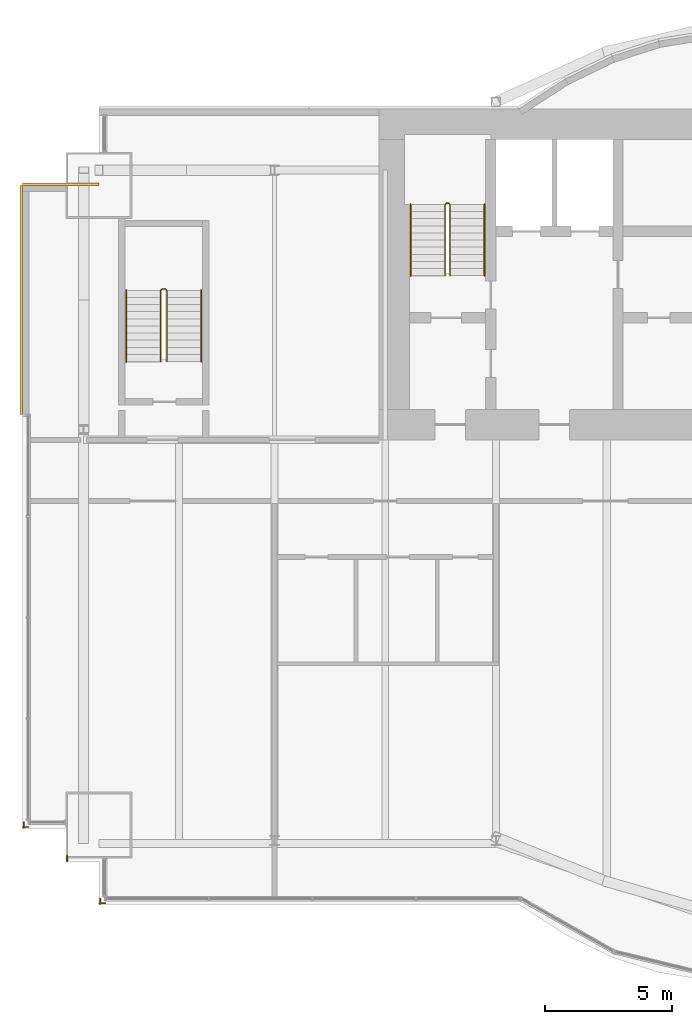
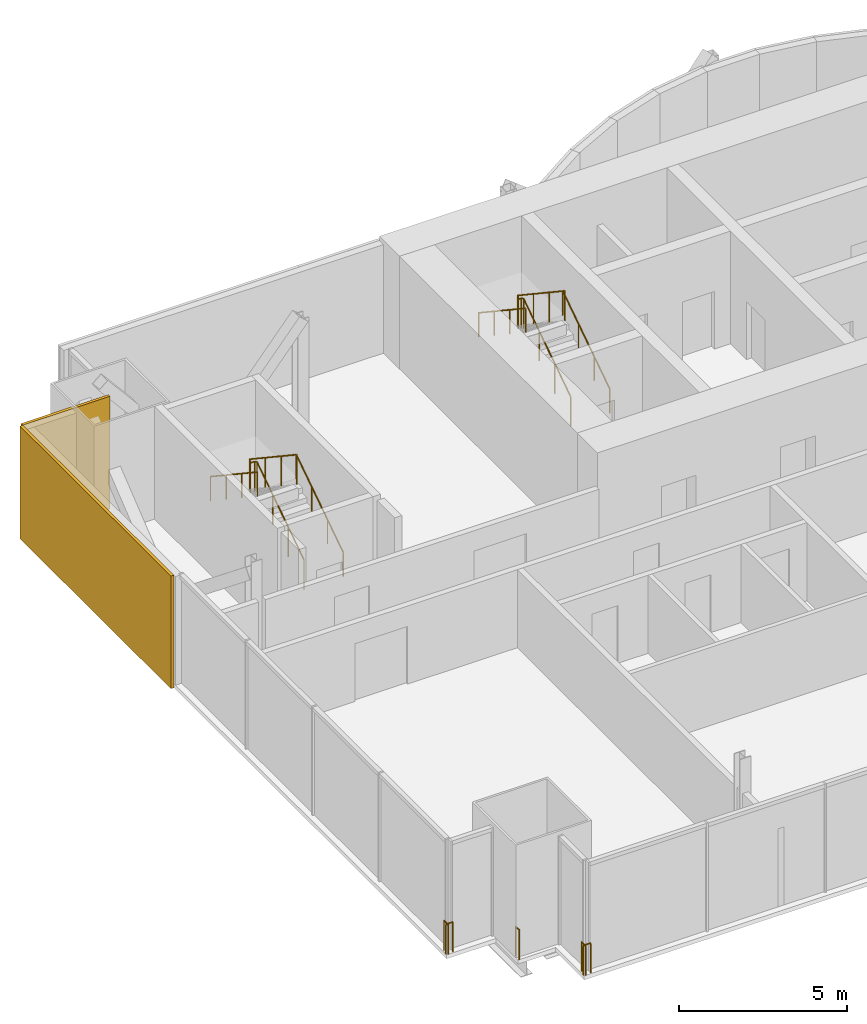
# One storey, part 18 of 20: 9 railings, 2 coverings.
"""IFC4 building model written with IfcOpenShell, lengths in metres."""

from ifc_helpers import new_model, si_unit, direction, frame, origin, origin_2d, place, context, subcontext, project, spatial, rectangle, circle, extrude, material, layer, layer_set, type_object, element, save


model = new_model("IFC4")

# Units and contexts
model_context = context("Model", 3, precision=1e-05, world=origin(), true_north=direction((0.0, 1.0)))
body_context = subcontext(model_context, "Body", "Model", "MODEL_VIEW")
ifc_project = project(units=[si_unit("LENGTHUNIT", "METRE"), si_unit("AREAUNIT", "SQUARE_METRE"), si_unit("VOLUMEUNIT", "CUBIC_METRE"), si_unit("PLANEANGLEUNIT", "RADIAN"), si_unit("MASSUNIT", "GRAM", prefix="KILO")], contexts=[model_context])

# Site, building, storey
site_placement = place(None, origin())
site = spatial("IfcSite", under=ifc_project, at=site_placement, CompositionType="ELEMENT")
building_placement = place(site_placement, origin())
building = spatial("IfcBuilding", under=site, at=building_placement, Name="Bicima Exchange Tower", CompositionType="ELEMENT")
storey_placement = place(building_placement, frame((0.0, 0.0, 223.699951171875)))
storey = spatial("IfcBuildingStorey", under=building, at=storey_placement, Name="L50", CompositionType="ELEMENT", Elevation=223.699951171875)

# Coverings
ifc_material_1 = material(Name="Bronze metal cladding")
ifc_layer_1 = layer(ifc_material_1, 0.004)
ifc_material_2 = material(Name="Ventilated cavity")
ifc_layer_2 = layer(ifc_material_2, 0.06)
ifc_material_3 = material(Name="Galvanised steel rail and mineral wool", Category="steel")
ifc_layer_3 = layer(ifc_material_3, 0.036)
ifc_layer_set = layer_set([ifc_layer_1, ifc_layer_2, ifc_layer_3], Name="Ventilated cavity")
covering_type = type_object("IfcCoveringType", Name="Bronze metal cladding panel 100", PredefinedType="CLADDING", material=ifc_layer_set)
covering_1_placement = place(storey_placement, frame((-34.5, -2.949951171875, -0.14990234375), z_axis=(0.0, 0.0, 1.0), x_axis=(-1.0, 0.0, 0.0)))
element("IfcCovering", 1, at=covering_1_placement, inside=storey, type_object=covering_type, Name="Bronze cladding L50 22.1", PredefinedType="CLADDING", context=body_context, shape_type="SweptSolid", body=[
    extrude(rectangle(XDim=3.0, YDim=0.10009765625, at=origin_2d()), origin(), (0.0, 0.0, 1.0), 4.10009765625),
])
covering_2_placement = place(storey_placement, frame((-36.050048828125, -7.5, -0.14990234375), z_axis=(0.0, 0.0, 1.0), x_axis=(0.0, -1.0, 0.0)))
element("IfcCovering", 2, at=covering_2_placement, inside=storey, type_object=covering_type, Name="Bronze cladding L50 23.1", PredefinedType="CLADDING", context=body_context, shape_type="SweptSolid", body=[
    extrude(rectangle(XDim=9.0, YDim=0.10009765625, at=origin_2d()), origin(), (0.0, 0.0, 1.0), 4.10009765625),
])

# Railings
ifc_material_4 = material(Name="Stainless steel and bonded safety glass", Category="steel")
railing_type_1 = type_object("IfcRailingType", Name="Edge guard 1100", PredefinedType="GUARDRAIL", material=ifc_material_4)
railing_1_placement = place(storey_placement, frame((-35.757080078125, -28.214111328125, 0.0)))
element("IfcRailing", 3, at=railing_1_placement, inside=storey, type_object=railing_type_1, Name="Edge guard L50 255", PredefinedType="GUARDRAIL", context=body_context, shape_type="SweptSolid", body=[
    extrude(circle(Radius=0.02392578125, at=origin_2d()), frame((0.0, 0.0, 1.076171875), z_axis=(-1.0, 0.0, 0.0), x_axis=(0.0, -1.0, 0.0)), (0.0, 0.0, 1.0), 0.242919921875),
    extrude(circle(Radius=0.02392578125, at=origin_2d()), frame((-0.242919921875, 0.0, 1.076171875), z_axis=(0.708833529934, -0.705375805398, 0.0), x_axis=(0.705375805398, 0.708833529934, 0.0)), (0.0, 0.0, 1.0), 0.070556640625),
    extrude(circle(Radius=0.02392578125, at=origin_2d()), frame((-0.19287109375, -0.0498046875, 1.076171875), z_axis=(0.0, 1.0, 0.0), x_axis=(-1.0, 0.0, 0.0)), (0.0, 0.0, 1.0), 0.247802734375),
    extrude(circle(Radius=0.02099609375, at=origin_2d()), origin(), (0.0, 0.0, 1.0), 1.052001953125),
    extrude(circle(Radius=0.02099609375, at=origin_2d()), frame((-0.242919921875, 0.0, 0.0)), (0.0, 0.0, 1.0), 1.052001953125),
    extrude(circle(Radius=0.02099609375, at=origin_2d()), frame((-0.19287109375, -0.0498046875, 0.0)), (0.0, 0.0, 1.0), 1.052001953125),
    extrude(circle(Radius=0.02099609375, at=origin_2d()), frame((-0.19287109375, 0.197998046875, 0.0)), (0.0, 0.0, 1.0), 1.052001953125),
])
railing_2_placement = place(storey_placement, frame((-32.75, -31.214111328125, 0.0)))
element("IfcRailing", 4, at=railing_2_placement, inside=storey, type_object=railing_type_1, Name="Edge guard L50 259", PredefinedType="GUARDRAIL", context=body_context, shape_type="SweptSolid", body=[
    extrude(circle(Radius=0.02392578125, at=origin_2d()), frame((0.0, 0.0, 1.076171875), z_axis=(-1.0, 0.0, 0.0), x_axis=(0.0, -1.0, 0.0)), (0.0, 0.0, 1.0), 0.25),
    extrude(circle(Radius=0.02392578125, at=origin_2d()), frame((-0.25, 0.0, 1.076171875), z_axis=(0.708833529934, -0.705375805398, 0.0), x_axis=(0.705375805398, 0.708833529934, 0.0)), (0.0, 0.0, 1.0), 0.070556640625),
    extrude(circle(Radius=0.02392578125, at=origin_2d()), frame((-0.199951171875, -0.0498046875, 1.076171875), z_axis=(0.0, 1.0, 0.0), x_axis=(-1.0, 0.0, 0.0)), (0.0, 0.0, 1.0), 0.242919921875),
    extrude(circle(Radius=0.02099609375, at=origin_2d()), origin(), (0.0, 0.0, 1.0), 1.052001953125),
    extrude(circle(Radius=0.02099609375, at=origin_2d()), frame((-0.25, 0.0, 0.0)), (0.0, 0.0, 1.0), 1.052001953125),
    extrude(circle(Radius=0.02099609375, at=origin_2d()), frame((-0.199951171875, -0.0498046875, 0.0)), (0.0, 0.0, 1.0), 1.052001953125),
    extrude(circle(Radius=0.02099609375, at=origin_2d()), frame((-0.199951171875, 0.193115234375, 0.0)), (0.0, 0.0, 1.0), 1.052001953125),
])
railing_3_placement = place(storey_placement, frame((-34.25, -29.56396484375, 0.0)))
element("IfcRailing", 5, at=railing_3_placement, inside=storey, type_object=railing_type_1, Name="Edge guard L50 260", PredefinedType="GUARDRAIL", context=body_context, shape_type="SweptSolid", body=[
    extrude(circle(Radius=0.02392578125, at=origin_2d()), frame((0.0, 0.0, 1.076171875), z_axis=(0.0, 1.0, 0.0), x_axis=(-1.0, 0.0, 0.0)), (0.0, 0.0, 1.0), 0.217041015625),
    extrude(circle(Radius=0.02099609375, at=origin_2d()), origin(), (0.0, 0.0, 1.0), 1.052001953125),
    extrude(circle(Radius=0.02099609375, at=origin_2d()), frame((0.0, 0.217041015625, 0.0)), (0.0, 0.0, 1.0), 1.052001953125),
])
ifc_material_5 = material(Name="Stainless steel", Category="steel")
railing_type_2 = type_object("IfcRailingType", Name="Stair guard 1100", PredefinedType="GUARDRAIL", material=ifc_material_5)
railing_4_placement = place(storey_placement, frame((-19.199951171875, -6.550048828125, 0.1865234375)))
element("IfcRailing", 6, at=railing_4_placement, inside=storey, type_object=railing_type_2, Name="L50 ST-W stair guard 1", PredefinedType="GUARDRAIL", context=body_context, shape_type="SweptSolid", body=[
    extrude(circle(Radius=0.02392578125, at=origin_2d()), frame((0.0, 0.0, 1.076171875), z_axis=(0.0, 0.832485552168, 0.554046753832), x_axis=(-1.0, 0.0, 0.0)), (0.0, 0.0, 1.0), 3.363525390625),
    extrude(circle(Radius=0.02392578125, at=origin_2d()), frame((0.0, 2.800048828125, 2.939453125), z_axis=(-0.707106781187, 0.707106781187, 0.0), x_axis=(-0.707106781187, -0.707106781187, 0.0)), (0.0, 0.0, 1.0), 0.07080078125),
    extrude(circle(Radius=0.02392578125, at=origin_2d()), frame((-0.050048828125, 2.85009765625, 2.939453125), z_axis=(-1.0, 0.0, 0.0), x_axis=(0.0, -1.0, 0.0)), (0.0, 0.0, 1.0), 0.10009765625),
    extrude(circle(Radius=0.02392578125, at=origin_2d()), frame((-0.150146484375, 2.85009765625, 2.939453125), z_axis=(-0.250008635948, -0.251234168477, 0.935081319748), x_axis=(0.708833529934, -0.705375805398, 0.0)), (0.0, 0.0, 1.0), 0.19921875),
    extrude(circle(Radius=0.02392578125, at=origin_2d()), frame((-0.199951171875, 2.800048828125, 3.1259765625), z_axis=(0.0, -0.832452072856, 0.554097055034), x_axis=(1.0, 0.0, 0.0)), (0.0, 0.0, 1.0), 3.363525390625),
    extrude(circle(Radius=0.02099609375, at=origin_2d()), origin(), (0.0, 0.0, 1.0), 1.052001953125),
    extrude(circle(Radius=0.02099609375, at=origin_2d()), frame((0.0, 0.933349609375, 0.62109375)), (0.0, 0.0, 1.0), 1.052001953125),
    extrude(circle(Radius=0.02099609375, at=origin_2d()), frame((0.0, 1.86669921875, 1.242431640625)), (0.0, 0.0, 1.0), 1.052001953125),
    extrude(circle(Radius=0.02099609375, at=origin_2d()), frame((0.0, 2.800048828125, 1.863525390625)), (0.0, 0.0, 1.0), 1.052001953125),
    extrude(circle(Radius=0.02099609375, at=origin_2d()), frame((-0.050048828125, 2.85009765625, 1.863525390625)), (0.0, 0.0, 1.0), 1.052001953125),
    extrude(circle(Radius=0.02099609375, at=origin_2d()), frame((-0.150146484375, 2.85009765625, 1.863525390625)), (0.0, 0.0, 1.0), 1.052001953125),
    extrude(circle(Radius=0.02099609375, at=origin_2d()), frame((-0.199951171875, 2.800048828125, 2.0498046875)), (0.0, 0.0, 1.0), 1.052001953125),
    extrude(circle(Radius=0.02099609375, at=origin_2d()), frame((-0.199951171875, 1.86669921875, 2.671142578125)), (0.0, 0.0, 1.0), 1.052001953125),
    extrude(circle(Radius=0.02099609375, at=origin_2d()), frame((-0.199951171875, 0.933349609375, 3.292236328125)), (0.0, 0.0, 1.0), 1.052001953125),
    extrude(circle(Radius=0.02099609375, at=origin_2d()), frame((-0.199951171875, 0.0, 3.91357421875)), (0.0, 0.0, 1.0), 1.052001953125),
])
railing_5_placement = place(storey_placement, frame((-30.324951171875, -9.925048828125, 0.1865234375)))
element("IfcRailing", 7, at=railing_5_placement, inside=storey, type_object=railing_type_2, Name="L50 ST-WW stair guard 1", PredefinedType="GUARDRAIL", context=body_context, shape_type="SweptSolid", body=[
    extrude(circle(Radius=0.02392578125, at=origin_2d()), frame((0.0, 0.0, 1.076171875), z_axis=(0.0, 0.832485552168, 0.554046753832), x_axis=(-1.0, 0.0, 0.0)), (0.0, 0.0, 1.0), 3.363525390625),
    extrude(circle(Radius=0.02392578125, at=origin_2d()), frame((0.0, 2.800048828125, 2.939453125), z_axis=(-0.707106781187, 0.707106781187, 0.0), x_axis=(-0.707106781187, -0.707106781187, 0.0)), (0.0, 0.0, 1.0), 0.07080078125),
    extrude(circle(Radius=0.02392578125, at=origin_2d()), frame((-0.050048828125, 2.85009765625, 2.939453125), z_axis=(-1.0, 0.0, 0.0), x_axis=(0.0, -1.0, 0.0)), (0.0, 0.0, 1.0), 0.14990234375),
    extrude(circle(Radius=0.02392578125, at=origin_2d()), frame((-0.199951171875, 2.85009765625, 2.939453125), z_axis=(-0.251157038772, -0.251157038772, 0.934794246747), x_axis=(0.707106781187, -0.707106781187, 0.0)), (0.0, 0.0, 1.0), 0.19921875),
    extrude(circle(Radius=0.02392578125, at=origin_2d()), frame((-0.25, 2.800048828125, 3.1259765625), z_axis=(0.0, -0.832452072856, 0.554097055034), x_axis=(1.0, 0.0, 0.0)), (0.0, 0.0, 1.0), 3.363525390625),
    extrude(circle(Radius=0.02099609375, at=origin_2d()), origin(), (0.0, 0.0, 1.0), 1.052001953125),
    extrude(circle(Radius=0.02099609375, at=origin_2d()), frame((0.0, 0.933349609375, 0.62109375)), (0.0, 0.0, 1.0), 1.052001953125),
    extrude(circle(Radius=0.02099609375, at=origin_2d()), frame((0.0, 1.86669921875, 1.242431640625)), (0.0, 0.0, 1.0), 1.052001953125),
    extrude(circle(Radius=0.02099609375, at=origin_2d()), frame((0.0, 2.800048828125, 1.863525390625)), (0.0, 0.0, 1.0), 1.052001953125),
    extrude(circle(Radius=0.02099609375, at=origin_2d()), frame((-0.050048828125, 2.85009765625, 1.863525390625)), (0.0, 0.0, 1.0), 1.052001953125),
    extrude(circle(Radius=0.02099609375, at=origin_2d()), frame((-0.199951171875, 2.85009765625, 1.863525390625)), (0.0, 0.0, 1.0), 1.052001953125),
    extrude(circle(Radius=0.02099609375, at=origin_2d()), frame((-0.25, 2.800048828125, 2.0498046875)), (0.0, 0.0, 1.0), 1.052001953125),
    extrude(circle(Radius=0.02099609375, at=origin_2d()), frame((-0.25, 1.86669921875, 2.671142578125)), (0.0, 0.0, 1.0), 1.052001953125),
    extrude(circle(Radius=0.02099609375, at=origin_2d()), frame((-0.25, 0.933349609375, 3.292236328125)), (0.0, 0.0, 1.0), 1.052001953125),
    extrude(circle(Radius=0.02099609375, at=origin_2d()), frame((-0.25, 0.0, 3.91357421875)), (0.0, 0.0, 1.0), 1.052001953125),
])
railing_type_3 = type_object("IfcRailingType", Name="Stair handrail 900", PredefinedType="HANDRAIL", material=ifc_material_5)
railing_6_placement = place(storey_placement, frame((-17.85009765625, -6.550048828125, 0.1865234375)))
element("IfcRailing", 8, at=railing_6_placement, inside=storey, type_object=railing_type_3, Name="L50 ST-W stair handrail 1", PredefinedType="HANDRAIL", context=body_context, shape_type="SweptSolid", body=[
    extrude(circle(Radius=0.02392578125, at=origin_2d()), frame((0.0, 0.0, 0.8759765625), z_axis=(0.0, 0.832485552168, 0.554046753832), x_axis=(-1.0, 0.0, 0.0)), (0.0, 0.0, 1.0), 3.363525390625),
    extrude(circle(Radius=0.02099609375, at=origin_2d()), origin(), (0.0, 0.0, 1.0), 0.851806640625),
    extrude(circle(Radius=0.02099609375, at=origin_2d()), frame((0.0, 0.933349609375, 0.62109375)), (0.0, 0.0, 1.0), 0.851806640625),
    extrude(circle(Radius=0.02099609375, at=origin_2d()), frame((0.0, 1.86669921875, 1.242431640625)), (0.0, 0.0, 1.0), 0.851806640625),
    extrude(circle(Radius=0.02099609375, at=origin_2d()), frame((0.0, 2.800048828125, 1.863525390625)), (0.0, 0.0, 1.0), 0.851806640625),
])
railing_7_placement = place(storey_placement, frame((-20.75, -3.75, 2.27685546875)))
element("IfcRailing", 9, at=railing_7_placement, inside=storey, type_object=railing_type_3, Name="L50 ST-W stair handrail 2", PredefinedType="HANDRAIL", context=body_context, shape_type="SweptSolid", body=[
    extrude(circle(Radius=0.02392578125, at=origin_2d()), frame((0.0, 0.0, 0.8759765625), z_axis=(0.0, -0.832485552168, 0.554046753832), x_axis=(1.0, 0.0, 0.0)), (0.0, 0.0, 1.0), 3.363525390625),
    extrude(circle(Radius=0.02099609375, at=origin_2d()), origin(), (0.0, 0.0, 1.0), 0.851806640625),
    extrude(circle(Radius=0.02099609375, at=origin_2d()), frame((0.0, -0.933349609375, 0.62109375)), (0.0, 0.0, 1.0), 0.851806640625),
    extrude(circle(Radius=0.02099609375, at=origin_2d()), frame((0.0, -1.86669921875, 1.242431640625)), (0.0, 0.0, 1.0), 0.851806640625),
    extrude(circle(Radius=0.02099609375, at=origin_2d()), frame((0.0, -2.800048828125, 1.863525390625)), (0.0, 0.0, 1.0), 0.851806640625),
])
railing_8_placement = place(storey_placement, frame((-28.97509765625, -9.925048828125, 0.1865234375)))
element("IfcRailing", 10, at=railing_8_placement, inside=storey, type_object=railing_type_3, Name="L50 ST-WW stair handrail 1", PredefinedType="HANDRAIL", context=body_context, shape_type="SweptSolid", body=[
    extrude(circle(Radius=0.02392578125, at=origin_2d()), frame((0.0, 0.0, 0.8759765625), z_axis=(0.0, 0.832485552168, 0.554046753832), x_axis=(-1.0, 0.0, 0.0)), (0.0, 0.0, 1.0), 3.363525390625),
    extrude(circle(Radius=0.02099609375, at=origin_2d()), origin(), (0.0, 0.0, 1.0), 0.851806640625),
    extrude(circle(Radius=0.02099609375, at=origin_2d()), frame((0.0, 0.933349609375, 0.62109375)), (0.0, 0.0, 1.0), 0.851806640625),
    extrude(circle(Radius=0.02099609375, at=origin_2d()), frame((0.0, 1.86669921875, 1.242431640625)), (0.0, 0.0, 1.0), 0.851806640625),
    extrude(circle(Radius=0.02099609375, at=origin_2d()), frame((0.0, 2.800048828125, 1.863525390625)), (0.0, 0.0, 1.0), 0.851806640625),
])
railing_9_placement = place(storey_placement, frame((-31.925048828125, -7.125, 2.27685546875)))
element("IfcRailing", 11, at=railing_9_placement, inside=storey, type_object=railing_type_3, Name="L50 ST-WW stair handrail 2", PredefinedType="HANDRAIL", context=body_context, shape_type="SweptSolid", body=[
    extrude(circle(Radius=0.02392578125, at=origin_2d()), frame((0.0, 0.0, 0.8759765625), z_axis=(0.0, -0.832485552168, 0.554046753832), x_axis=(1.0, 0.0, 0.0)), (0.0, 0.0, 1.0), 3.363525390625),
    extrude(circle(Radius=0.02099609375, at=origin_2d()), origin(), (0.0, 0.0, 1.0), 0.851806640625),
    extrude(circle(Radius=0.02099609375, at=origin_2d()), frame((0.0, -0.933349609375, 0.62109375)), (0.0, 0.0, 1.0), 0.851806640625),
    extrude(circle(Radius=0.02099609375, at=origin_2d()), frame((0.0, -1.86669921875, 1.242431640625)), (0.0, 0.0, 1.0), 0.851806640625),
    extrude(circle(Radius=0.02099609375, at=origin_2d()), frame((0.0, -2.800048828125, 1.863525390625)), (0.0, 0.0, 1.0), 0.851806640625),
])

save(model, "model.ifc")
